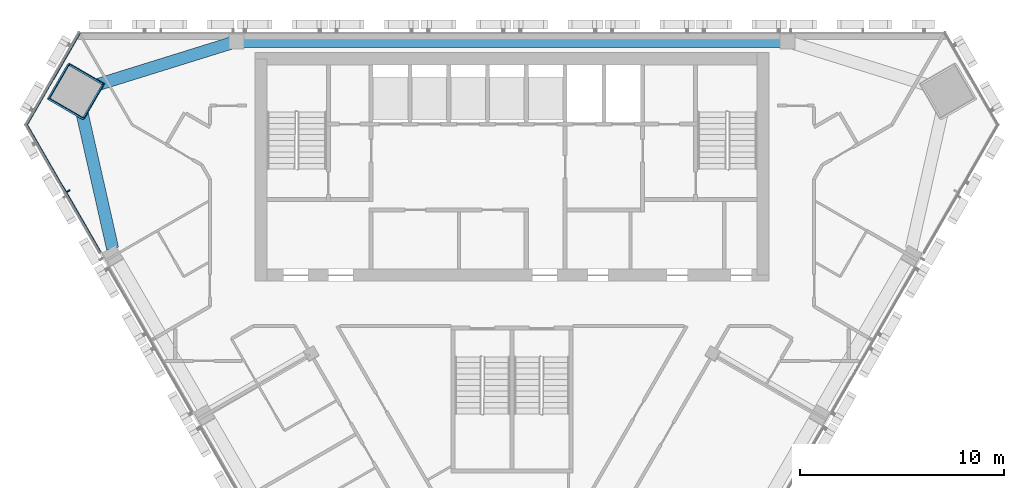
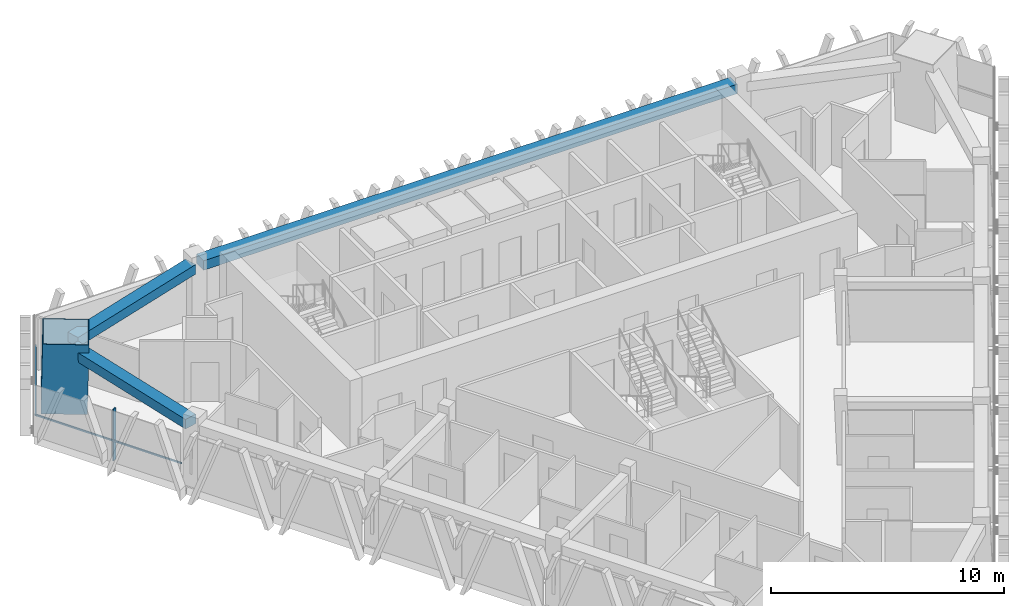
# One storey, part 5 of 15: 4 members, 3 beams, 2 elements without a shape of their own.
"""IFC4 building model written with IfcOpenShell, lengths in metres."""

from ifc_helpers import new_model, si_unit, direction, frame, origin, origin_2d, place, context, subcontext, project, spatial, rectangle, hollow_rectangle, extrude, material, layer, layer_set, material_profile, profile_set, type_object, element, aggregate, save


model = new_model("IFC4")

# Units and contexts
model_context = context("Model", 3, precision=1e-05, world=origin(), true_north=direction((0.0, 1.0)))
body_context = subcontext(model_context, "Body", "Model", "MODEL_VIEW")
ifc_project = project(units=[si_unit("LENGTHUNIT", "METRE"), si_unit("AREAUNIT", "SQUARE_METRE"), si_unit("VOLUMEUNIT", "CUBIC_METRE"), si_unit("PLANEANGLEUNIT", "RADIAN"), si_unit("MASSUNIT", "GRAM", prefix="KILO")], contexts=[model_context])

# Site, building, storey
site_placement = place(None, origin())
site = spatial("IfcSite", under=ifc_project, at=site_placement, CompositionType="ELEMENT")
building_placement = place(site_placement, origin())
building = spatial("IfcBuilding", under=site, at=building_placement, Name="Altiplano Prism Tower", CompositionType="ELEMENT")
storey_placement = place(building_placement, frame((0.0, 0.0, 250.0)))
storey = spatial("IfcBuildingStorey", under=building, at=storey_placement, Name="L64", CompositionType="ELEMENT", Elevation=250.0)

# Curtain wall, member
ifc_material_1 = material(Name="Aluminium and glass", Category="aluminium")
ifc_layer = layer(ifc_material_1, 0.280029296875)
ifc_layer_set = layer_set([ifc_layer], Name="Aluminium and glass")
curtain_wall_type = type_object("IfcCurtainWallType", Name="CW1 typical co-living unitised curtain wall", PredefinedType="NOTDEFINED", material=ifc_layer_set)
curtain_wall_1_placement = place(storey_placement, origin())
curtain_wall_1 = element("IfcCurtainWall", 1, at=curtain_wall_1_placement, inside=storey, type_object=curtain_wall_type, Name="CW1 curtain wall south-west face L64", PredefinedType="NOTDEFINED")
ifc_material_2 = material(Name="Aluminium", Category="aluminium")
ifc_material_profile_1 = material_profile(ifc_material_2, rectangle(XDim=0.179931640625, YDim=0.06494140625, at=origin_2d()), Name="CW1 mullion 65 x 180")
ifc_profile_set_1 = profile_set([ifc_material_profile_1], Name="Aluminium")
member_type_1 = type_object("IfcMemberType", Name="CW1 mullion 65 x 180", PredefinedType="MULLION", material=ifc_profile_set_1)
member_1_placement = place(storey_placement, frame((63.250244140625, 97.216064453125, 0.0), z_axis=(0.0, 0.0, 1.0), x_axis=(0.866025403636, 0.500000000257, 0.0)))
member_1 = element("IfcMember", 2, at=member_1_placement, type_object=member_type_1, Name="CW1 mullion", PredefinedType="MULLION", context=body_context, shape_type="SweptSolid", body=[
    extrude(rectangle(XDim=0.179931640625, YDim=0.06494140625, at=origin_2d()), origin(), (0.0, 0.0, 1.0), 2.699951171875),
])

curtain_wall_2_placement = place(storey_placement, origin())
curtain_wall_2 = element("IfcCurtainWall", 3, at=curtain_wall_2_placement, inside=storey, type_object=curtain_wall_type, Name="CW1 curtain wall north-west chamfer L64", PredefinedType="NOTDEFINED")
ifc_material_profile_2 = material_profile(ifc_material_2, rectangle(XDim=0.06005859375, YDim=0.080078125, at=origin_2d()), Name="CW1 transom 80 x 60")
ifc_profile_set_2 = profile_set([ifc_material_profile_2], Name="Aluminium")
member_type_2 = type_object("IfcMemberType", Name="CW1 transom 80 x 60", PredefinedType="USERDEFINED", material=ifc_profile_set_2)
member_2_placement = place(storey_placement, frame((63.82958984375, 104.965087890625, 1.10009765625), z_axis=(-0.500013263306, -0.866017746076, 0.0), x_axis=(0.866017746076, -0.500013263306, 0.0)))
member_2 = element("IfcMember", 4, at=member_2_placement, type_object=member_type_2, Name="CW1 transom", ObjectType="TRANSOM", PredefinedType="USERDEFINED", context=body_context, shape_type="SweptSolid", body=[
    extrude(rectangle(XDim=0.06005859375, YDim=0.080078125, at=origin_2d()), origin(), (0.0, 0.0, 1.0), 5.232177734375),
])
aggregate(curtain_wall_2, [member_2])

# Member
member_3_placement = place(storey_placement, frame((61.21337890625, 100.50390625, 1.10009765625), z_axis=(0.50001094225, -0.866019086181, 0.0), x_axis=(0.866019086181, 0.50001094225, 0.0)))
member_3 = element("IfcMember", 5, at=member_3_placement, type_object=member_type_2, Name="CW1 transom", ObjectType="TRANSOM", PredefinedType="USERDEFINED", context=body_context, shape_type="SweptSolid", body=[
    extrude(rectangle(XDim=0.06005859375, YDim=0.080078125, at=origin_2d()), origin(), (0.0, 0.0, 1.0), 7.276611328125),
])

aggregate(curtain_wall_1, [member_1, member_3])

# Beams
ifc_material_3 = material(Name="Concrete C60/75", Category="concrete")
ifc_material_profile_3 = material_profile(ifc_material_3, rectangle(XDim=0.60009765625, YDim=0.5, at=origin_2d()), Name="Edge beam 600x500")
ifc_profile_set_3 = profile_set([ifc_material_profile_3], Name="Concrete C60/75")
beam_type = type_object("IfcBeamType", Name="Edge beam 600x500", PredefinedType="SPANDREL", material=ifc_profile_set_3)
beam_placement = place(storey_placement, frame((98.2451171875, 104.550048828125, 2.949951171875), z_axis=(-1.0, 0.0, 0.0), x_axis=(0.0, -1.0, 0.0)))
element("IfcBeam", 6, at=beam_placement, inside=storey, type_object=beam_type, Name="Edge beam P01-P04 L65", PredefinedType="SPANDREL", context=body_context, shape_type="SweptSolid", body=[
    extrude(rectangle(XDim=0.60009765625, YDim=0.5, at=origin_2d()), origin(), (0.0, 0.0, 1.0), 26.490234375),
])
for number, where, z_axis, x_axis, name in (
    (7, (71.239501953125, 104.468994140625, 2.949951171875), (-0.954774822057, -0.297329849101, 0.0), (0.297329849101, -0.954774822057, 0.0), "Edge beam P04-M0 L65"),
    (8, (63.787841796875, 101.6787109375, 2.949951171875), (0.219910209386, -0.975520117582, 0.0), (0.975520117582, 0.219910209386, 0.0), "Edge beam M0-P11 L65"),
):
    element("IfcBeam", number, at=place(storey_placement, frame(where, z_axis=z_axis, x_axis=x_axis)), inside=storey, type_object=beam_type, Name=name, PredefinedType="SPANDREL", context=body_context, shape_type="SweptSolid", body=[
        extrude(rectangle(XDim=0.60009765625, YDim=0.5, at=origin_2d()), origin(), (0.0, 0.0, 1.0), 7.458251953125),
    ])

# Member
ifc_material_4 = material(Name="Steel S460", Category="steel")
ifc_material_profile_4 = material_profile(ifc_material_4, hollow_rectangle(XDim=2.0, YDim=2.0, WallThickness=0.0400390625, at=origin_2d()), Name="Mega column tube 2000")
ifc_profile_set_4 = profile_set([ifc_material_profile_4], Name="Steel S460")
member_type_3 = type_object("IfcMemberType", Name="Mega column tube 2000", PredefinedType="POST", material=ifc_profile_set_4)
member_4_placement = place(storey_placement, frame((63.586669921875, 102.08447265625, 0.0), z_axis=(0.028401814599, 0.009218727412, 0.999554076572), x_axis=(-0.865118567614, 0.501170105714, 0.019959687064)))
element("IfcMember", 9, at=member_4_placement, inside=storey, type_object=member_type_3, Name="Mega column tube M0 L64", PredefinedType="POST", context=body_context, shape_type="SweptSolid", body=[
    extrude(hollow_rectangle(XDim=2.0, YDim=2.0, WallThickness=0.0400390625, at=origin_2d()), origin(), (0.0, 0.0, 1.0), 3.601806640625),
])

save(model, "model.ifc")
